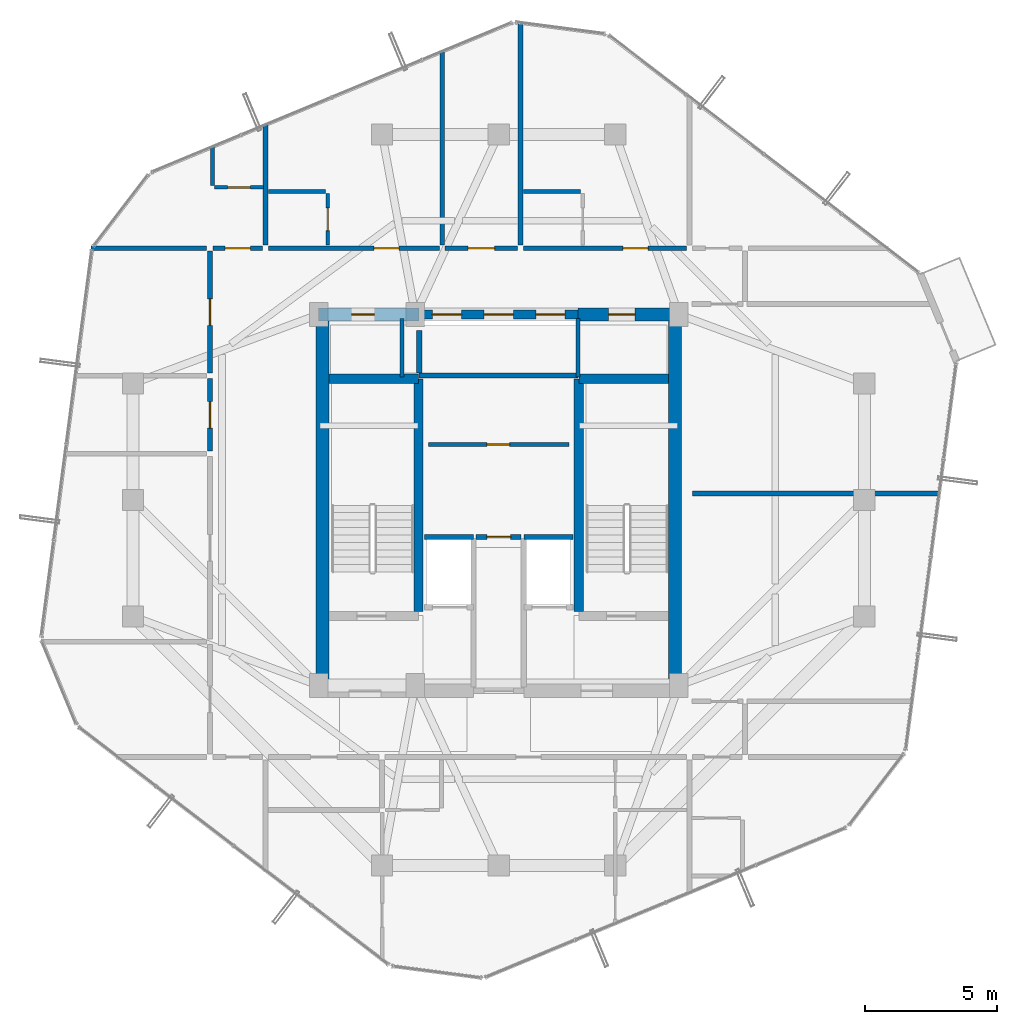
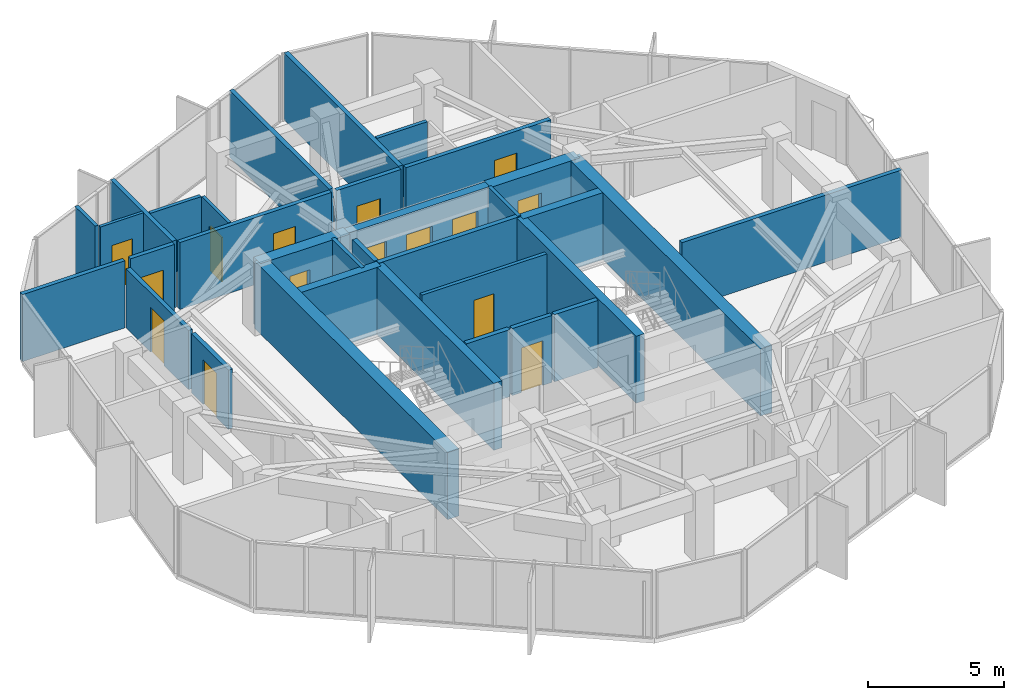
# One storey, part 28 of 31: 33 walls, 15 doors, 15 openings.
"""IFC4 building model written with IfcOpenShell, lengths in metres."""

from ifc_helpers import new_model, si_unit, direction, frame, frame_2d, origin, place, context, subcontext, project, spatial, rectangle, extrude, source, transform, mapped, material, layer, layer_set, type_object, element, fill, save


model = new_model("IFC4")

# Units and contexts
model_context = context("Model", 3, precision=1e-05, world=origin(), true_north=direction((0.0, 1.0)))
body_context = subcontext(model_context, "Body", "Model", "MODEL_VIEW")
ifc_project = project(units=[si_unit("LENGTHUNIT", "METRE"), si_unit("AREAUNIT", "SQUARE_METRE"), si_unit("VOLUMEUNIT", "CUBIC_METRE"), si_unit("PLANEANGLEUNIT", "RADIAN"), si_unit("MASSUNIT", "GRAM", prefix="KILO")], contexts=[model_context])

# Site, building, storey
site_placement = place(None, origin())
site = spatial("IfcSite", under=ifc_project, at=site_placement, CompositionType="ELEMENT")
building_placement = place(site_placement, origin())
building = spatial("IfcBuilding", under=site, at=building_placement, Name="Veraguas Prism Commons", CompositionType="ELEMENT")
storey_placement = place(building_placement, frame((0.0, 0.0, 233.300048828125)))
storey = spatial("IfcBuildingStorey", under=building, at=storey_placement, Name="L66", CompositionType="ELEMENT", Elevation=233.300048828125)

# Wall, openings, doors
ifc_material_1 = material(Name="Concrete C50/60", Category="concrete")
ifc_layer_1 = layer(ifc_material_1, 0.35009765625, Name="Core Internal Shear Wall Upper RC 350", Category="concrete")
ifc_layer_set_1 = layer_set([ifc_layer_1], Name="Concrete C50/60")
wall_type_1 = type_object("IfcWallType", Name="Core Internal Shear Wall Upper RC 350", PredefinedType="SHEAR", material=ifc_layer_set_1)
wall_1_placement = place(storey_placement, frame((21.0, 31.0, 0.0), z_axis=(0.0, 0.0, 1.0), x_axis=(1.0, 0.0, 0.0)))
wall_1 = element("IfcWall", 1, at=wall_1_placement, inside=storey, type_object=wall_type_1, Name="High-Rise Lift Bank Front Shear Wall L66", PredefinedType="SHEAR", context=body_context, shape_type="SweptSolid", body=[
    extrude(rectangle(XDim=6.0, YDim=0.35009765625, at=frame_2d((3.0, 0.0))), origin(), (0.0, 0.0, 1.0), 3.014892578125),
])
opening_1_placement = place(wall_1_placement, frame((0.5, 0.0, 0.0)))
opening_1 = element("IfcOpeningElement", 2, at=opening_1_placement, cuts=wall_1, Name="Opening LD-01", PredefinedType="OPENING", context=body_context, shape_type="SweptSolid", body=[
    extrude(rectangle(XDim=1.10009765625, YDim=2.080078125, at=frame_2d((0.550048828125, 1.0400390625))), frame((0.0, 0.18505859375, 0.0), z_axis=(0.0, -1.0, 0.0), x_axis=(1.0, 0.0, 0.0)), (0.0, 0.0, 1.0), 0.3701171875),
])
opening_2_placement = place(wall_1_placement, frame((2.449951171875, 0.0, 0.0)))
opening_2 = element("IfcOpeningElement", 3, at=opening_2_placement, cuts=wall_1, Name="Opening LD-01", PredefinedType="OPENING", context=body_context, shape_type="SweptSolid", body=[
    extrude(rectangle(XDim=1.10009765625, YDim=2.080078125, at=frame_2d((0.550048828125, 1.0400390625))), frame((0.0, 0.18505859375, 0.0), z_axis=(0.0, -1.0, 0.0), x_axis=(1.0, 0.0, 0.0)), (0.0, 0.0, 1.0), 0.3701171875),
])
opening_3_placement = place(wall_1_placement, frame((4.39990234375, 0.0, 0.0)))
opening_3 = element("IfcOpeningElement", 4, at=opening_3_placement, cuts=wall_1, Name="Opening LD-01", PredefinedType="OPENING", context=body_context, shape_type="SweptSolid", body=[
    extrude(rectangle(XDim=1.10009765625, YDim=2.080078125, at=frame_2d((0.550048828125, 1.0400390625))), frame((0.0, 0.18505859375, 0.0), z_axis=(0.0, -1.0, 0.0), x_axis=(1.0, 0.0, 0.0)), (0.0, 0.0, 1.0), 0.3701171875),
])
ifc_material_2 = material(Name="Stainless steel AISI 316", Category="steel")
door_type_1 = type_object("IfcDoorType", Name="Passenger Lift Sliding Landing Door 1100x2080", OperationType="NOTDEFINED", PredefinedType="DOOR", material=ifc_material_2)
shared_shape_1 = source(origin(), body_context, "Body", "SweptSolid", [
    extrude(rectangle(XDim=1.10009765625, YDim=2.080078125, at=frame_2d((0.550048828125, 1.0400390625))), frame((0.0, 0.02490234375, 0.0), z_axis=(0.0, -1.0, 0.0), x_axis=(1.0, 0.0, 0.0)), (0.0, 0.0, 1.0), 0.050048828125),
])
door_1_placement = place(opening_1_placement, origin())
door_1 = element("IfcDoor", 5, at=door_1_placement, inside=storey, type_object=door_type_1, Name="Sliding Landing Door PL-H1 L66", OperationType="SLIDING_TO_LEFT", OverallHeight=2.080078125, OverallWidth=1.10009765625, PredefinedType="DOOR", context=body_context, shape_type="MappedRepresentation", body=[
    mapped(shared_shape_1, transform((0.0, 0.0, 0.0), scale=1.0)),
])
fill(opening_1, door_1)
door_2_placement = place(opening_2_placement, origin())
door_2 = element("IfcDoor", 6, at=door_2_placement, inside=storey, type_object=door_type_1, Name="Sliding Landing Door PL-H2 L66", OperationType="SLIDING_TO_LEFT", OverallHeight=2.080078125, OverallWidth=1.10009765625, PredefinedType="DOOR", context=body_context, shape_type="MappedRepresentation", body=[
    mapped(shared_shape_1, transform((0.0, 0.0, 0.0), scale=1.0)),
])
fill(opening_2, door_2)
door_3_placement = place(opening_3_placement, origin())
door_3 = element("IfcDoor", 7, at=door_3_placement, inside=storey, type_object=door_type_1, Name="Sliding Landing Door PL-H3 L66", OperationType="SLIDING_TO_LEFT", OverallHeight=2.080078125, OverallWidth=1.10009765625, PredefinedType="DOOR", context=body_context, shape_type="MappedRepresentation", body=[
    mapped(shared_shape_1, transform((0.0, 0.0, 0.0), scale=1.0)),
])
fill(opening_3, door_3)

# Walls
for number, where, z_axis, x_axis, name in (
    (8, (20.97509765625, 19.800048828125, 0.0), (0.0, 0.0, 1.0), (0.0, 1.0, 0.0), "Stair ST-01 Inner Shear Wall L66"),
    (9, (27.02490234375, 19.800048828125, 0.0), (0.0, 0.0, 1.0), (0.0, 1.0, 0.0), "Stair ST-02 Inner Shear Wall L66"),
):
    element("IfcWall", number, at=place(storey_placement, frame(where, z_axis=z_axis, x_axis=x_axis)), inside=storey, type_object=wall_type_1, Name=name, PredefinedType="SHEAR", context=body_context, shape_type="SweptSolid", body=[
        extrude(rectangle(XDim=8.77490234375, YDim=0.35009765625, at=frame_2d((4.387451171875, 0.0))), origin(), (0.0, 0.0, 1.0), 3.014892578125),
    ])
for number, where, z_axis, x_axis, name in (
    (10, (17.60009765625, 28.574951171875, 0.0), (0.0, 0.0, 1.0), (1.0, 0.0, 0.0), "Stair ST-01 North Shear Wall L66"),
    (11, (27.02490234375, 28.574951171875, 0.0), (0.0, 0.0, 1.0), (1.0, 0.0, 0.0), "Stair ST-02 North Shear Wall L66"),
):
    element("IfcWall", number, at=place(storey_placement, frame(where, z_axis=z_axis, x_axis=x_axis)), inside=storey, type_object=wall_type_1, Name=name, PredefinedType="SHEAR", context=body_context, shape_type="SweptSolid", body=[
        extrude(rectangle(XDim=3.375, YDim=0.35009765625, at=frame_2d((1.6875, 0.0))), origin(), (0.0, 0.0, 1.0), 3.014892578125),
    ])
ifc_layer_2 = layer(ifc_material_1, 0.5, Name="Core Outer Shear Wall Upper RC 500", Category="concrete")
ifc_layer_set_2 = layer_set([ifc_layer_2], Name="Concrete C50/60")
wall_type_2 = type_object("IfcWallType", Name="Core Outer Shear Wall Upper RC 500", PredefinedType="SHEAR", material=ifc_layer_set_2)
for number, where, z_axis, x_axis, name in (
    (12, (17.35009765625, 16.800048828125, 0.0), (0.0, 0.0, 1.0), (0.0, 1.0, 0.0), "Central Core West Shear Wall L66"),
    (13, (30.64990234375, 16.800048828125, 0.0), (0.0, 0.0, 1.0), (0.0, 1.0, 0.0), "Central Core East Shear Wall L66"),
):
    element("IfcWall", number, at=place(storey_placement, frame(where, z_axis=z_axis, x_axis=x_axis)), inside=storey, type_object=wall_type_2, Name=name, PredefinedType="SHEAR", context=body_context, shape_type="SweptSolid", body=[
        extrude(rectangle(XDim=14.199951171875, YDim=0.5, at=frame_2d((7.10009765625, 0.0))), origin(), (0.0, 0.0, 1.0), 3.014892578125),
    ])

# Wall, opening, door
wall_2_placement = place(storey_placement, frame((17.199951171875, 31.0, 0.0), z_axis=(0.0, 0.0, 1.0), x_axis=(1.0, 0.0, 0.0)))
wall_2 = element("IfcWall", 14, at=wall_2_placement, inside=storey, type_object=wall_type_2, Name="Central Core North-West Shear Wall L66", PredefinedType="SHEAR", context=body_context, shape_type="SweptSolid", body=[
    extrude(rectangle(XDim=3.800048828125, YDim=0.5, at=frame_2d((1.89990234375, 0.0))), origin(), (0.0, 0.0, 1.0), 3.014892578125),
])
opening_4_placement = place(wall_2_placement, frame((1.25, 0.0, 0.0)))
opening_4 = element("IfcOpeningElement", 15, at=opening_4_placement, cuts=wall_2, Name="Opening DR-12", PredefinedType="OPENING", context=body_context, shape_type="SweptSolid", body=[
    extrude(rectangle(XDim=0.860107421875, YDim=2.010009765625, at=frame_2d((0.43017578125, 1.0048828125))), frame((0.0, 0.260009765625, 0.0), z_axis=(0.0, -1.0, 0.0), x_axis=(1.0, 0.0, 0.0)), (0.0, 0.0, 1.0), 0.52001953125),
])
ifc_material_3 = material(Name="Steel fire-rated door assembly", Category="steel")
door_type_2 = type_object("IfcDoorType", Name="Core WC Fire Door 860x2010", OperationType="NOTDEFINED", PredefinedType="DOOR", material=ifc_material_3)
shared_shape_2 = source(origin(), body_context, "Body", "SweptSolid", [
    extrude(rectangle(XDim=0.860107421875, YDim=2.010009765625, at=frame_2d((0.43017578125, 1.0048828125))), frame((0.0, 0.02490234375, 0.0), z_axis=(0.0, -1.0, 0.0), x_axis=(1.0, 0.0, 0.0)), (0.0, 0.0, 1.0), 0.050048828125),
])
door_4_placement = place(opening_4_placement, origin())
door_4 = element("IfcDoor", 16, at=door_4_placement, inside=storey, type_object=door_type_2, Name="Core NW Service Door L66", OperationType="SINGLE_SWING_LEFT", OverallHeight=2.010009765625, OverallWidth=0.860107421875, PredefinedType="DOOR", context=body_context, shape_type="MappedRepresentation", body=[
    mapped(shared_shape_2, transform((0.0, 0.0, 0.0), scale=1.0)),
])
fill(opening_4, door_4)

wall_3_placement = place(storey_placement, frame((27.0, 31.0, 0.0), z_axis=(0.0, 0.0, 1.0), x_axis=(1.0, 0.0, 0.0)))
wall_3 = element("IfcWall", 17, at=wall_3_placement, inside=storey, type_object=wall_type_2, Name="Central Core North-East Shear Wall L66", PredefinedType="SHEAR", context=body_context, shape_type="SweptSolid", body=[
    extrude(rectangle(XDim=3.800048828125, YDim=0.5, at=frame_2d((1.89990234375, 0.0))), origin(), (0.0, 0.0, 1.0), 3.014892578125),
])
opening_5_placement = place(wall_3_placement, frame((1.14990234375, 0.0, 0.0)))
opening_5 = element("IfcOpeningElement", 18, at=opening_5_placement, cuts=wall_3, Name="Opening DR-13", PredefinedType="OPENING", context=body_context, shape_type="SweptSolid", body=[
    extrude(rectangle(XDim=1.0, YDim=2.010009765625, at=frame_2d((0.5, 1.0048828125))), frame((0.0, 0.260009765625, 0.0), z_axis=(0.0, -1.0, 0.0), x_axis=(1.0, 0.0, 0.0)), (0.0, 0.0, 1.0), 0.52001953125),
])
door_type_3 = type_object("IfcDoorType", Name="Core Accessible WC and Clinic Fire Door 1000x2010", OperationType="NOTDEFINED", PredefinedType="DOOR", material=ifc_material_3)
shared_shape_3 = source(origin(), body_context, "Body", "SweptSolid", [
    extrude(rectangle(XDim=1.0, YDim=2.010009765625, at=frame_2d((0.5, 1.0048828125))), frame((0.0, 0.02490234375, 0.0), z_axis=(0.0, -1.0, 0.0), x_axis=(1.0, 0.0, 0.0)), (0.0, 0.0, 1.0), 0.050048828125),
])
door_5_placement = place(opening_5_placement, origin())
door_5 = element("IfcDoor", 19, at=door_5_placement, inside=storey, type_object=door_type_3, Name="Core NE Pantry Door L66", OperationType="SINGLE_SWING_RIGHT", OverallHeight=2.010009765625, OverallWidth=1.0, PredefinedType="DOOR", context=body_context, shape_type="MappedRepresentation", body=[
    mapped(shared_shape_3, transform((0.0, 0.0, 0.0), scale=1.0)),
])
fill(opening_5, door_5)

ifc_material_4 = material(Name="Autoclaved aerated masonry block 10 MPa", Category="masonry")
ifc_layer_3 = layer(ifc_material_4, 0.179931640625, Name="Corridor and Inter-Tenancy Partition 180", Category="masonry")
ifc_layer_set_3 = layer_set([ifc_layer_3], Name="Autoclaved aerated masonry block 10 MPa")
wall_type_3 = type_object("IfcWallType", Name="Corridor and Inter-Tenancy Partition 180", PredefinedType="PARTITIONING", material=ifc_layer_set_3)
wall_4_placement = place(storey_placement, frame((23.14990234375, 22.60009765625, 0.0), z_axis=(0.0, 0.0, 1.0), x_axis=(1.0, 0.0, 0.0)))
wall_4 = element("IfcWall", 20, at=wall_4_placement, inside=storey, type_object=wall_type_3, Name="Core Suite Entry Wall L66", PredefinedType="PARTITIONING", context=body_context, shape_type="SweptSolid", body=[
    extrude(rectangle(XDim=1.7001953125, YDim=0.179931640625, at=frame_2d((0.85009765625, 0.0))), origin(), (0.0, 0.0, 1.0), 3.014892578125),
])
opening_6_placement = place(wall_4_placement, frame((0.39990234375, 0.0, 0.0)))
opening_6 = element("IfcOpeningElement", 21, at=opening_6_placement, cuts=wall_4, Name="Opening DR-14", PredefinedType="OPENING", context=body_context, shape_type="SweptSolid", body=[
    extrude(rectangle(XDim=0.89990234375, YDim=2.010009765625, at=frame_2d((0.449951171875, 1.0048828125))), frame((0.0, 0.099853515625, 0.0), z_axis=(0.0, -1.0, 0.0), x_axis=(1.0, 0.0, 0.0)), (0.0, 0.0, 1.0), 0.199951171875),
])
door_type_4 = type_object("IfcDoorType", Name="Core Service Room Fire Door 900x2010", OperationType="NOTDEFINED", PredefinedType="DOOR", material=ifc_material_3)
shared_shape_4 = source(origin(), body_context, "Body", "SweptSolid", [
    extrude(rectangle(XDim=0.89990234375, YDim=2.010009765625, at=frame_2d((0.449951171875, 1.0048828125))), frame((0.0, 0.02490234375, 0.0), z_axis=(0.0, -1.0, 0.0), x_axis=(1.0, 0.0, 0.0)), (0.0, 0.0, 1.0), 0.050048828125),
])
door_6_placement = place(opening_6_placement, origin())
door_6 = element("IfcDoor", 22, at=door_6_placement, inside=storey, type_object=door_type_4, Name="Core Suite Entry Door L66", OperationType="SINGLE_SWING_LEFT", OverallHeight=2.010009765625, OverallWidth=0.89990234375, PredefinedType="DOOR", context=body_context, shape_type="MappedRepresentation", body=[
    mapped(shared_shape_4, transform((0.0, 0.0, 0.0), scale=1.0)),
])
fill(opening_6, door_6)

# Wall
wall_5_placement = place(storey_placement, frame((15.199951171875, 33.6201171875, 0.0), z_axis=(0.0, 0.0, 1.0), x_axis=(0.0, 1.0, 0.0)))
element("IfcWall", 23, at=wall_5_placement, inside=storey, type_object=wall_type_3, Name="WL-L66-PT013", PredefinedType="PARTITIONING", context=body_context, shape_type="SweptSolid", body=[
    extrude(rectangle(XDim=4.575439453125, YDim=0.179931640625, at=frame_2d((2.28759765625, 0.0))), origin(), (0.0, 0.0, 1.0), 3.014892578125),
])

# Wall, opening, door
wall_6_placement = place(storey_placement, frame((21.97998046875, 33.5, 0.0), z_axis=(0.0, 0.0, 1.0), x_axis=(1.0, 0.0, 0.0)))
wall_6 = element("IfcWall", 24, at=wall_6_placement, inside=storey, type_object=wall_type_3, Name="WL-L66-PT015", PredefinedType="PARTITIONING", context=body_context, shape_type="SweptSolid", body=[
    extrude(rectangle(XDim=2.72998046875, YDim=0.179931640625, at=frame_2d((1.364990234375, 0.0))), origin(), (0.0, 0.0, 1.0), 3.014892578125),
])
opening_7_placement = place(wall_6_placement, frame((0.864990234375, 0.0, 0.0)))
opening_7 = element("IfcOpeningElement", 25, at=opening_7_placement, cuts=wall_6, Name="Opening DR-13", PredefinedType="OPENING", context=body_context, shape_type="SweptSolid", body=[
    extrude(rectangle(XDim=1.0, YDim=2.010009765625, at=frame_2d((0.5, 1.0048828125))), frame((0.0, 0.099853515625, 0.0), z_axis=(0.0, -1.0, 0.0), x_axis=(1.0, 0.0, 0.0)), (0.0, 0.0, 1.0), 0.199951171875),
])
door_7_placement = place(opening_7_placement, origin())
door_7 = element("IfcDoor", 26, at=door_7_placement, inside=storey, type_object=door_type_3, Name="Quiet Study N Door", OperationType="SINGLE_SWING_LEFT", OverallHeight=2.010009765625, OverallWidth=1.0, PredefinedType="DOOR", context=body_context, shape_type="MappedRepresentation", body=[
    mapped(shared_shape_3, transform((0.0, 0.0, 0.0), scale=1.0)),
])
fill(opening_7, door_7)

# Wall
wall_7_placement = place(storey_placement, frame((21.8701171875, 33.6201171875, 0.0), z_axis=(0.0, 0.0, 1.0), x_axis=(0.0, 1.0, 0.0)))
element("IfcWall", 27, at=wall_7_placement, inside=storey, type_object=wall_type_3, Name="WL-L66-PT016", PredefinedType="PARTITIONING", context=body_context, shape_type="SweptSolid", body=[
    extrude(rectangle(XDim=7.34375, YDim=0.179931640625, at=frame_2d((3.671875, 0.0))), origin(), (0.0, 0.0, 1.0), 3.014892578125),
])

# Wall, opening, door
wall_8_placement = place(storey_placement, frame((15.31005859375, 33.5, 0.0), z_axis=(0.0, 0.0, 1.0), x_axis=(1.0, 0.0, 0.0)))
wall_8 = element("IfcWall", 28, at=wall_8_placement, inside=storey, type_object=wall_type_3, Name="WL-L66-PT017", PredefinedType="PARTITIONING", context=body_context, shape_type="SweptSolid", body=[
    extrude(rectangle(XDim=6.449951171875, YDim=0.179931640625, at=frame_2d((3.22509765625, 0.0))), origin(), (0.0, 0.0, 1.0), 3.014892578125),
])
opening_8_placement = place(wall_8_placement, frame((3.97412109375, 0.0, 0.0)))
opening_8 = element("IfcOpeningElement", 29, at=opening_8_placement, cuts=wall_8, Name="Opening DR-01", PredefinedType="OPENING", context=body_context, shape_type="SweptSolid", body=[
    extrude(rectangle(XDim=0.949951171875, YDim=2.02001953125, at=frame_2d((0.47509765625, 1.010009765625))), frame((0.0, 0.099853515625, 0.0), z_axis=(0.0, -1.0, 0.0), x_axis=(1.0, 0.0, 0.0)), (0.0, 0.0, 1.0), 0.199951171875),
])
ifc_material_5 = material(Name="Anodised aluminium EN AW-6063 T6", Category="aluminium")
door_type_5 = type_object("IfcDoorType", Name="Apartment Entrance Fire Door 950x2020", OperationType="NOTDEFINED", PredefinedType="DOOR", material=ifc_material_5)
shared_shape_5 = source(origin(), body_context, "Body", "SweptSolid", [
    extrude(rectangle(XDim=0.949951171875, YDim=2.02001953125, at=frame_2d((0.47509765625, 1.010009765625))), frame((0.0, 0.02490234375, 0.0), z_axis=(0.0, -1.0, 0.0), x_axis=(1.0, 0.0, 0.0)), (0.0, 0.0, 1.0), 0.050048828125),
])
door_8_placement = place(opening_8_placement, origin())
door_8 = element("IfcDoor", 30, at=door_8_placement, inside=storey, type_object=door_type_5, Name="Studio 66B Entrance Door", OperationType="SINGLE_SWING_RIGHT", OverallHeight=2.02001953125, OverallWidth=0.949951171875, PredefinedType="DOOR", context=body_context, shape_type="MappedRepresentation", body=[
    mapped(shared_shape_5, transform((0.0, 0.0, 0.0), scale=1.0)),
])
fill(opening_8, door_8)

# Wall
wall_9_placement = place(storey_placement, frame((24.820068359375, 33.6201171875, 0.0), z_axis=(0.0, 0.0, 1.0), x_axis=(0.0, 1.0, 0.0)))
element("IfcWall", 31, at=wall_9_placement, inside=storey, type_object=wall_type_3, Name="WL-L66-PT020", PredefinedType="PARTITIONING", context=body_context, shape_type="SweptSolid", body=[
    extrude(rectangle(XDim=8.427734375, YDim=0.179931640625, at=frame_2d((4.2138671875, 0.0))), origin(), (0.0, 0.0, 1.0), 3.014892578125),
])

# Wall, opening, door
wall_10_placement = place(storey_placement, frame((24.929931640625, 33.5, 0.0), z_axis=(0.0, 0.0, 1.0), x_axis=(1.0, 0.0, 0.0)))
wall_10 = element("IfcWall", 32, at=wall_10_placement, inside=storey, type_object=wall_type_3, Name="WL-L66-PT021", PredefinedType="PARTITIONING", context=body_context, shape_type="SweptSolid", body=[
    extrude(rectangle(XDim=6.16015625, YDim=0.179931640625, at=frame_2d((3.080078125, 0.0))), origin(), (0.0, 0.0, 1.0), 3.014892578125),
])
opening_9_placement = place(wall_10_placement, frame((3.759521484375, 0.0, 0.0)))
opening_9 = element("IfcOpeningElement", 33, at=opening_9_placement, cuts=wall_10, Name="Opening DR-01", PredefinedType="OPENING", context=body_context, shape_type="SweptSolid", body=[
    extrude(rectangle(XDim=0.949951171875, YDim=2.02001953125, at=frame_2d((0.47509765625, 1.010009765625))), frame((0.0, 0.099853515625, 0.0), z_axis=(0.0, -1.0, 0.0), x_axis=(1.0, 0.0, 0.0)), (0.0, 0.0, 1.0), 0.199951171875),
])
door_9_placement = place(opening_9_placement, origin())
door_9 = element("IfcDoor", 34, at=door_9_placement, inside=storey, type_object=door_type_5, Name="Studio 66C Entrance Door", OperationType="SINGLE_SWING_RIGHT", OverallHeight=2.02001953125, OverallWidth=0.949951171875, PredefinedType="DOOR", context=body_context, shape_type="MappedRepresentation", body=[
    mapped(shared_shape_5, transform((0.0, 0.0, 0.0), scale=1.0)),
])
fill(opening_9, door_9)

# Wall
wall_11_placement = place(storey_placement, frame((12.97998046875, 33.5, 0.0), z_axis=(0.0, 0.0, 1.0), x_axis=(-1.0, 0.0, 0.0)))
element("IfcWall", 35, at=wall_11_placement, inside=storey, type_object=wall_type_3, Name="WL-L66-PT025", PredefinedType="PARTITIONING", context=body_context, shape_type="SweptSolid", body=[
    extrude(rectangle(XDim=4.361083984375, YDim=0.179931640625, at=frame_2d((2.1806640625, 0.0))), origin(), (0.0, 0.0, 1.0), 3.014892578125),
])

# Wall, opening, door
wall_12_placement = place(storey_placement, frame((13.10009765625, 25.85400390625, 0.0), z_axis=(0.0, 0.0, 1.0), x_axis=(0.0, 1.0, 0.0)))
wall_12 = element("IfcWall", 36, at=wall_12_placement, inside=storey, type_object=wall_type_3, Name="WL-L66-PT030", PredefinedType="PARTITIONING", context=body_context, shape_type="SweptSolid", body=[
    extrude(rectangle(XDim=2.72705078125, YDim=0.179931640625, at=frame_2d((1.363525390625, 0.0))), origin(), (0.0, 0.0, 1.0), 2.661865234375),
])
opening_10_placement = place(wall_12_placement, frame((0.863525390625, 0.0, 0.0)))
opening_10 = element("IfcOpeningElement", 37, at=opening_10_placement, cuts=wall_12, Name="Opening DR-13", PredefinedType="OPENING", context=body_context, shape_type="SweptSolid", body=[
    extrude(rectangle(XDim=1.0, YDim=2.010009765625, at=frame_2d((0.5, 1.0048828125))), frame((0.0, 0.099853515625, 0.0), z_axis=(0.0, -1.0, 0.0), x_axis=(1.0, 0.0, 0.0)), (0.0, 0.0, 1.0), 0.199951171875),
])
door_10_placement = place(opening_10_placement, origin())
door_10 = element("IfcDoor", 38, at=door_10_placement, inside=storey, type_object=door_type_3, Name="Shared Laundry Room Door", OperationType="SINGLE_SWING_RIGHT", OverallHeight=2.010009765625, OverallWidth=1.0, PredefinedType="DOOR", context=body_context, shape_type="MappedRepresentation", body=[
    mapped(shared_shape_3, transform((0.0, 0.0, 0.0), scale=1.0)),
])
fill(opening_10, door_10)

wall_13_placement = place(storey_placement, frame((13.10009765625, 28.801025390625, 0.0), z_axis=(0.0, 0.0, 1.0), x_axis=(0.0, 1.0, 0.0)))
wall_13 = element("IfcWall", 39, at=wall_13_placement, inside=storey, type_object=wall_type_3, Name="WL-L66-PT031", PredefinedType="PARTITIONING", context=body_context, shape_type="SweptSolid", body=[
    extrude(rectangle(XDim=4.5888671875, YDim=0.179931640625, at=frame_2d((2.29443359375, 0.0))), origin(), (0.0, 0.0, 1.0), 2.661865234375),
])
opening_11_placement = place(wall_13_placement, frame((1.79443359375, 0.0, 0.0)))
opening_11 = element("IfcOpeningElement", 40, at=opening_11_placement, cuts=wall_13, Name="Opening DR-13", PredefinedType="OPENING", context=body_context, shape_type="SweptSolid", body=[
    extrude(rectangle(XDim=1.0, YDim=2.010009765625, at=frame_2d((0.5, 1.0048828125))), frame((0.0, 0.099853515625, 0.0), z_axis=(0.0, -1.0, 0.0), x_axis=(1.0, 0.0, 0.0)), (0.0, 0.0, 1.0), 0.199951171875),
])
door_11_placement = place(opening_11_placement, origin())
door_11 = element("IfcDoor", 41, at=door_11_placement, inside=storey, type_object=door_type_3, Name="Co-op Store W Door", OperationType="SINGLE_SWING_LEFT", OverallHeight=2.010009765625, OverallWidth=1.0, PredefinedType="DOOR", context=body_context, shape_type="MappedRepresentation", body=[
    mapped(shared_shape_3, transform((0.0, 0.0, 0.0), scale=1.0)),
])
fill(opening_11, door_11)

# Wall
wall_14_placement = place(storey_placement, frame((31.320068359375, 24.25, 0.0), z_axis=(0.0, 0.0, 1.0), x_axis=(1.0, 0.0, 0.0)))
element("IfcWall", 42, at=wall_14_placement, inside=storey, type_object=wall_type_3, Name="WL-L66-PT033", PredefinedType="PARTITIONING", context=body_context, shape_type="SweptSolid", body=[
    extrude(rectangle(XDim=9.337890625, YDim=0.179931640625, at=frame_2d((4.6689453125, 0.0))), origin(), (0.0, 0.0, 1.0), 3.014892578125),
])

# Wall, opening, door
wall_15_placement = place(storey_placement, frame((13.219970703125, 33.5, 0.0), z_axis=(0.0, 0.0, 1.0), x_axis=(1.0, 0.0, 0.0)))
wall_15 = element("IfcWall", 43, at=wall_15_placement, inside=storey, type_object=wall_type_3, Name="WL-L66-PT046", PredefinedType="PARTITIONING", context=body_context, shape_type="SweptSolid", body=[
    extrude(rectangle(XDim=1.860107421875, YDim=0.179931640625, at=frame_2d((0.93017578125, 0.0))), origin(), (0.0, 0.0, 1.0), 3.014892578125),
])
opening_12_placement = place(wall_15_placement, frame((0.455078125, 0.0, 0.0)))
opening_12 = element("IfcOpeningElement", 44, at=opening_12_placement, cuts=wall_15, Name="Opening DR-01", PredefinedType="OPENING", context=body_context, shape_type="SweptSolid", body=[
    extrude(rectangle(XDim=0.949951171875, YDim=2.02001953125, at=frame_2d((0.47509765625, 1.010009765625))), frame((0.0, 0.099853515625, 0.0), z_axis=(0.0, -1.0, 0.0), x_axis=(1.0, 0.0, 0.0)), (0.0, 0.0, 1.0), 0.199951171875),
])
door_12_placement = place(opening_12_placement, origin())
door_12 = element("IfcDoor", 45, at=door_12_placement, inside=storey, type_object=door_type_5, Name="Studio 66E Entrance Door", OperationType="SINGLE_SWING_LEFT", OverallHeight=2.02001953125, OverallWidth=0.949951171875, PredefinedType="DOOR", context=body_context, shape_type="MappedRepresentation", body=[
    mapped(shared_shape_5, transform((0.0, 0.0, 0.0), scale=1.0)),
])
fill(opening_12, door_12)

ifc_material_6 = material(Name="Lightweight acoustic gypsum board")
ifc_layer_4 = layer(ifc_material_6, 0.125, Name="Internal Apartment Room Partition 125")
ifc_layer_set_4 = layer_set([ifc_layer_4], Name="Lightweight acoustic gypsum board")
wall_type_4 = type_object("IfcWallType", Name="Internal Apartment Room Partition 125", PredefinedType="PARTITIONING", material=ifc_layer_set_4)
wall_16_placement = place(storey_placement, frame((17.550048828125, 33.6201171875, 0.0), z_axis=(0.0, 0.0, 1.0), x_axis=(0.0, 1.0, 0.0)))
wall_16 = element("IfcWall", 46, at=wall_16_placement, inside=storey, type_object=wall_type_4, Name="WL-L66-PT018", PredefinedType="PARTITIONING", context=body_context, shape_type="SweptSolid", body=[
    extrude(rectangle(XDim=1.949951171875, YDim=0.125, at=frame_2d((0.97509765625, 0.0))), origin(), (0.0, 0.0, 1.0), 3.014892578125),
])
opening_13_placement = place(wall_16_placement, frame((0.544921875, 0.0, 0.0)))
opening_13 = element("IfcOpeningElement", 47, at=opening_13_placement, cuts=wall_16, Name="Opening DR-03", PredefinedType="OPENING", context=body_context, shape_type="SweptSolid", body=[
    extrude(rectangle(XDim=0.860107421875, YDim=2.010009765625, at=frame_2d((0.43017578125, 1.0048828125))), frame((0.0, 0.072509765625, 0.0), z_axis=(0.0, -1.0, 0.0), x_axis=(1.0, 0.0, 0.0)), (0.0, 0.0, 1.0), 0.14501953125),
])
ifc_material_7 = material(Name="Timber moisture-resistant leaf", Category="wood")
door_type_6 = type_object("IfcDoorType", Name="Internal Bathroom Door 860x2010", OperationType="NOTDEFINED", PredefinedType="DOOR", material=ifc_material_7)
door_13_placement = place(opening_13_placement, origin())
door_13 = element("IfcDoor", 48, at=door_13_placement, inside=storey, type_object=door_type_6, Name="Studio 66B Bathroom Door", OperationType="SINGLE_SWING_LEFT", OverallHeight=2.010009765625, OverallWidth=0.860107421875, PredefinedType="DOOR", context=body_context, shape_type="MappedRepresentation", body=[
    mapped(shared_shape_2, transform((0.0, 0.0, 0.0), scale=1.0)),
])
fill(opening_13, door_13)

wall_17_placement = place(storey_placement, frame((13.280029296875, 35.800048828125, 0.0), z_axis=(0.0, 0.0, 1.0), x_axis=(1.0, 0.0, 0.0)))
wall_17 = element("IfcWall", 49, at=wall_17_placement, inside=storey, type_object=wall_type_4, Name="WL-L66-PT047", PredefinedType="PARTITIONING", context=body_context, shape_type="SweptSolid", body=[
    extrude(rectangle(XDim=1.840087890625, YDim=0.125, at=frame_2d((0.919921875, 0.0))), origin(), (0.0, 0.0, 1.0), 3.014892578125),
])
opening_14_placement = place(wall_17_placement, frame((0.489990234375, 0.0, 0.0)))
opening_14 = element("IfcOpeningElement", 50, at=opening_14_placement, cuts=wall_17, Name="Opening DR-03", PredefinedType="OPENING", context=body_context, shape_type="SweptSolid", body=[
    extrude(rectangle(XDim=0.860107421875, YDim=2.010009765625, at=frame_2d((0.43017578125, 1.0048828125))), frame((0.0, 0.072509765625, 0.0), z_axis=(0.0, -1.0, 0.0), x_axis=(1.0, 0.0, 0.0)), (0.0, 0.0, 1.0), 0.14501953125),
])
door_14_placement = place(opening_14_placement, origin())
door_14 = element("IfcDoor", 51, at=door_14_placement, inside=storey, type_object=door_type_6, Name="Studio 66E Bathroom Door", OperationType="SINGLE_SWING_RIGHT", OverallHeight=2.010009765625, OverallWidth=0.860107421875, PredefinedType="DOOR", context=body_context, shape_type="MappedRepresentation", body=[
    mapped(shared_shape_2, transform((0.0, 0.0, 0.0), scale=1.0)),
])
fill(opening_14, door_14)

# Walls
ifc_layer_5 = layer(ifc_material_4, 0.199951171875, Name="Rated Shaft and Lobby Block Wall 200", Category="masonry")
ifc_layer_set_5 = layer_set([ifc_layer_5], Name="Autoclaved aerated masonry block 10 MPa")
wall_type_5 = type_object("IfcWallType", Name="Rated Shaft and Lobby Block Wall 200", PredefinedType="SOLIDWALL", material=ifc_layer_set_5)
for number, where, z_axis, x_axis, name in (
    (52, (21.199951171875, 22.60009765625, 0.0), (0.0, 0.0, 1.0), (1.0, 0.0, 0.0), "Firefighting Lift FFL-1 Rear Wall L66"),
    (53, (24.949951171875, 22.60009765625, 0.0), (0.0, 0.0, 1.0), (1.0, 0.0, 0.0), "Firefighting Lift FFL-2 Rear Wall L66"),
):
    element("IfcWall", number, at=place(storey_placement, frame(where, z_axis=z_axis, x_axis=x_axis)), inside=storey, type_object=wall_type_5, Name=name, PredefinedType="SOLIDWALL", context=body_context, shape_type="SweptSolid", body=[
        extrude(rectangle(XDim=1.85009765625, YDim=0.199951171875, at=frame_2d((0.925048828125, 0.0))), origin(), (0.0, 0.0, 1.0), 3.014892578125),
    ])
wall_18_placement = place(storey_placement, frame((21.0, 28.699951171875, 0.0), z_axis=(0.0, 0.0, 1.0), x_axis=(1.0, 0.0, 0.0)))
element("IfcWall", 54, at=wall_18_placement, inside=storey, type_object=wall_type_5, Name="High-Rise Lift Bank Rear Shaft Wall L66", PredefinedType="SOLIDWALL", context=body_context, shape_type="SweptSolid", body=[
    extrude(rectangle(XDim=6.0, YDim=0.199951171875, at=frame_2d((3.0, 0.0))), origin(), (0.0, 0.0, 1.0), 3.014892578125),
])
wall_19_placement = place(storey_placement, frame((21.0, 28.800048828125, 0.0), z_axis=(0.0, 0.0, 1.0), x_axis=(0.0, 1.0, 0.0)))
element("IfcWall", 55, at=wall_19_placement, inside=storey, type_object=wall_type_5, Name="High-Rise Lift Bank West Shaft Wall L66", PredefinedType="SOLIDWALL", context=body_context, shape_type="SweptSolid", body=[
    extrude(rectangle(XDim=1.599853515625, YDim=0.199951171875, at=frame_2d((0.7998046875, 0.0))), origin(), (0.0, 0.0, 1.0), 3.014892578125),
])
ifc_layer_6 = layer(ifc_material_6, 0.14990234375, Name="Wet Room and Clinic Acoustic Partition 150")
ifc_layer_set_6 = layer_set([ifc_layer_6], Name="Lightweight acoustic gypsum board")
wall_type_6 = type_object("IfcWallType", Name="Wet Room and Clinic Acoustic Partition 150", PredefinedType="PARTITIONING", material=ifc_layer_set_6)
for number, where, z_axis, x_axis, name in (
    (56, (20.35009765625, 28.64990234375, 0.0), (0.0, 0.0, 1.0), (0.0, 1.0, 0.0), "Core NW Service Inner Wall L66"),
    (57, (27.0, 28.64990234375, 0.0), (0.0, 0.0, 1.0), (0.0, 1.0, 0.0), "Core NE Service Inner Wall L66"),
):
    element("IfcWall", number, at=place(storey_placement, frame(where, z_axis=z_axis, x_axis=x_axis)), inside=storey, type_object=wall_type_6, Name=name, PredefinedType="PARTITIONING", context=body_context, shape_type="SweptSolid", body=[
        extrude(rectangle(XDim=2.2001953125, YDim=0.14990234375, at=frame_2d((1.10009765625, 0.0))), origin(), (0.0, 0.0, 1.0), 3.014892578125),
    ])

# Wall, opening, door
wall_20_placement = place(storey_placement, frame((21.35009765625, 26.10009765625, 0.0), z_axis=(0.0, 0.0, 1.0), x_axis=(1.0, 0.0, 0.0)))
wall_20 = element("IfcWall", 58, at=wall_20_placement, inside=storey, type_object=wall_type_6, Name="WL-L66-FRWHM", PredefinedType="PARTITIONING", context=body_context, shape_type="SweptSolid", body=[
    extrude(rectangle(XDim=5.2998046875, YDim=0.14990234375, at=frame_2d((2.64990234375, 0.0))), origin(), (0.0, 0.0, 1.0), 3.014892578125),
])
opening_15_placement = place(wall_20_placement, frame((2.199951171875, 0.0, 0.0)))
opening_15 = element("IfcOpeningElement", 59, at=opening_15_placement, cuts=wall_20, Name="Opening DR-12", PredefinedType="OPENING", context=body_context, shape_type="SweptSolid", body=[
    extrude(rectangle(XDim=0.860107421875, YDim=2.010009765625, at=frame_2d((0.43017578125, 1.0048828125))), frame((0.0, 0.0849609375, 0.0), z_axis=(0.0, -1.0, 0.0), x_axis=(1.0, 0.0, 0.0)), (0.0, 0.0, 1.0), 0.169921875),
])
door_15_placement = place(opening_15_placement, origin())
door_15 = element("IfcDoor", 60, at=door_15_placement, inside=storey, type_object=door_type_2, Name="Archive Store Door L66", OperationType="SINGLE_SWING_RIGHT", OverallHeight=2.010009765625, OverallWidth=0.860107421875, PredefinedType="DOOR", context=body_context, shape_type="MappedRepresentation", body=[
    mapped(shared_shape_2, transform((0.0, 0.0, 0.0), scale=1.0)),
])
fill(opening_15, door_15)

# Walls
wall_21_placement = place(storey_placement, frame((15.320068359375, 35.64990234375, 0.0), z_axis=(0.0, 0.0, 1.0), x_axis=(1.0, 0.0, 0.0)))
element("IfcWall", 61, at=wall_21_placement, inside=storey, type_object=wall_type_6, Name="WL-L66-PT019", PredefinedType="PARTITIONING", context=body_context, shape_type="SweptSolid", body=[
    extrude(rectangle(XDim=2.14990234375, YDim=0.14990234375, at=frame_2d((1.074951171875, 0.0))), origin(), (0.0, 0.0, 1.0), 3.014892578125),
])
wall_22_placement = place(storey_placement, frame((24.93994140625, 35.64990234375, 0.0), z_axis=(0.0, 0.0, 1.0), x_axis=(1.0, 0.0, 0.0)))
element("IfcWall", 62, at=wall_22_placement, inside=storey, type_object=wall_type_6, Name="WL-L66-PT023", PredefinedType="PARTITIONING", context=body_context, shape_type="SweptSolid", body=[
    extrude(rectangle(XDim=2.150146484375, YDim=0.14990234375, at=frame_2d((1.0751953125, 0.0))), origin(), (0.0, 0.0, 1.0), 3.014892578125),
])
wall_23_placement = place(storey_placement, frame((13.199951171875, 35.8798828125, 0.0), z_axis=(0.0, 0.0, 1.0), x_axis=(0.0, 1.0, 0.0)))
element("IfcWall", 63, at=wall_23_placement, inside=storey, type_object=wall_type_6, Name="WL-L66-PT048", PredefinedType="PARTITIONING", context=body_context, shape_type="SweptSolid", body=[
    extrude(rectangle(XDim=1.485595703125, YDim=0.14990234375, at=frame_2d((0.74267578125, 0.0))), origin(), (0.0, 0.0, 1.0), 3.014892578125),
])

save(model, "model.ifc")
